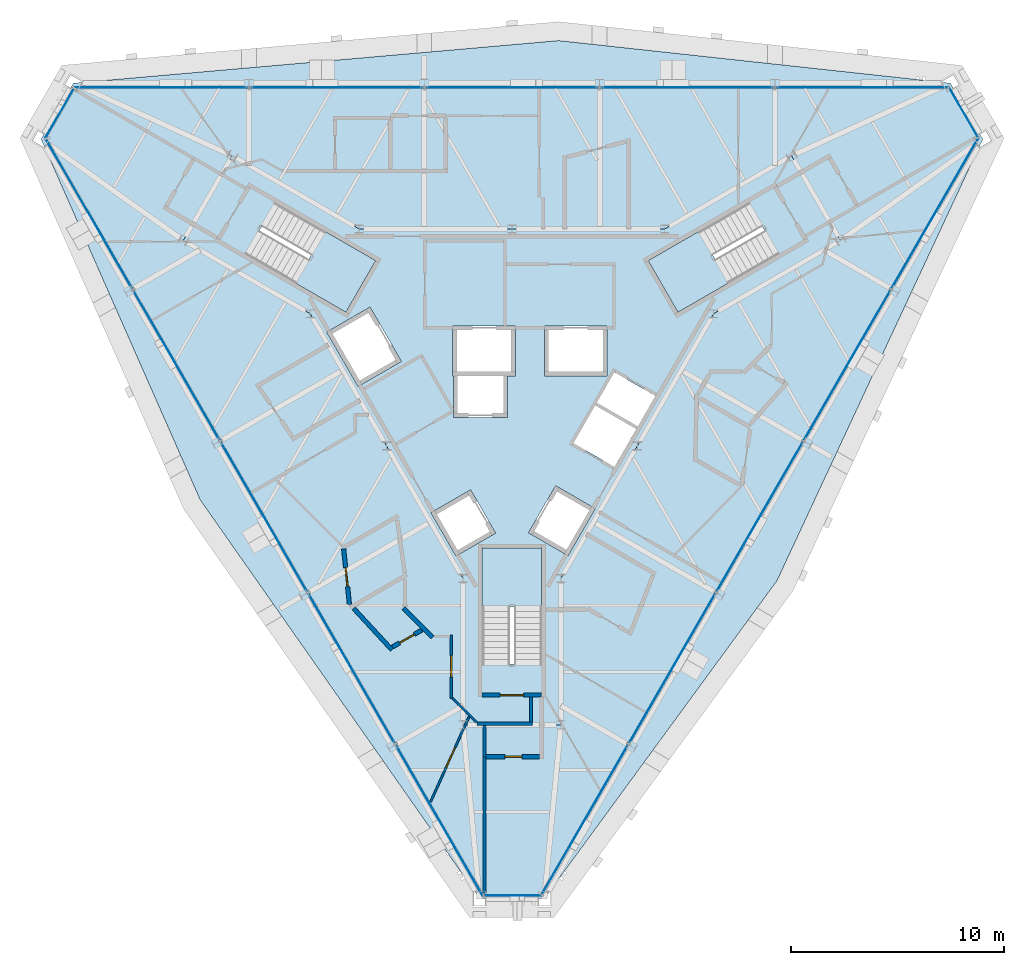
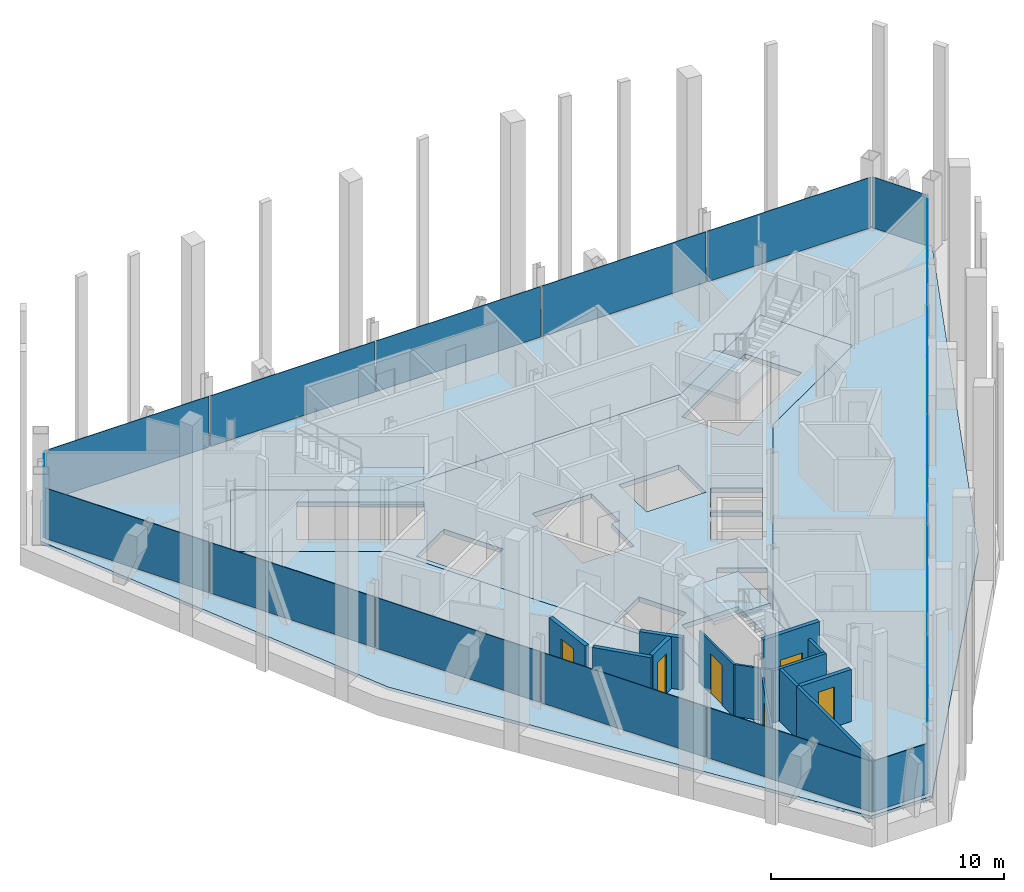
# One storey, part 7 of 13: 18 plates, 13 walls, 6 doors, 5 slabs, 6 openings, 9 elements without a shape of their own.
"""IFC4 building model written with IfcOpenShell, lengths in metres."""

from ifc_helpers import new_model, si_unit, direction, frame, frame_2d, origin, origin_2d, place, context, subcontext, project, spatial, polyline, rectangle, outline, extrude, material, layer, layer_set, type_object, element, fill, aggregate, save


model = new_model("IFC4")

# Units and contexts
model_context = context("Model", 3, precision=1e-05, world=origin(), true_north=direction((0.0, 1.0)))
body_context = subcontext(model_context, "Body", "Model", "MODEL_VIEW")
ifc_project = project(units=[si_unit("LENGTHUNIT", "METRE"), si_unit("AREAUNIT", "SQUARE_METRE"), si_unit("VOLUMEUNIT", "CUBIC_METRE"), si_unit("PLANEANGLEUNIT", "RADIAN"), si_unit("MASSUNIT", "GRAM", prefix="KILO")], contexts=[model_context])

# Site, building, storey
site_placement = place(None, origin())
site = spatial("IfcSite", under=ifc_project, at=site_placement, CompositionType="ELEMENT")
building_placement = place(site_placement, origin())
building = spatial("IfcBuilding", under=site, at=building_placement, Name="Verrane Prism Tower", CompositionType="ELEMENT")
storey_placement = place(building_placement, frame((0.0, 0.0, 275.10009765625)))
storey = spatial("IfcBuildingStorey", under=building, at=storey_placement, Name="L69", CompositionType="ELEMENT", Elevation=275.10009765625)

# Slabs
ifc_material_1 = material(Name="Concrete C35/45", Category="concrete")
ifc_layer_1 = layer(ifc_material_1, 0.159912109375)
ifc_layer_set_1 = layer_set([ifc_layer_1], Name="Composite floor slab")
slab_type_1 = type_object("IfcSlabType", Name="Composite floor slab", PredefinedType="FLOOR", material=ifc_layer_set_1)
slab_1_placement = place(storey_placement, frame((0.0, 0.0, -0.16015625)))
element("IfcSlab", 1, at=slab_1_placement, inside=storey, type_object=slab_type_1, Name="Floor slab L69", PredefinedType="FLOOR", context=body_context, shape_type="SweptSolid", body=[
    extrude(outline(polyline([(12.454345703125, -9.728515625), (1.51904296875, -24.6689453125), (-1.51904296875, -24.6689453125), (-14.652099609375, -5.921630859375), (-22.12353515625, 11.01904296875), (-20.6044921875, 13.64990234375), (2.19775390625, 15.64990234375), (20.6044921875, 13.64990234375), (22.12353515625, 11.01904296875), (12.454345703125, -9.728515625)]), holes=[polyline([(15.43994140625, 6.260009765625), (13.139892578125, 10.239990234375), (7.179931640625, 6.800048828125), (0.0, 6.800048828125), (-7.179931640625, 6.800048828125), (-13.139892578125, 10.239990234375), (-15.43994140625, 6.260009765625), (-9.47998046875, 2.820068359375), (-5.889892578125, -3.39990234375), (-2.300048828125, -9.6201171875), (-2.300048828125, -16.5), (2.300048828125, -16.5), (2.300048828125, -9.6201171875), (5.889892578125, -3.39990234375), (9.47998046875, 2.820068359375), (15.43994140625, 6.260009765625)])]), origin(), (0.0, 0.0, 1.0), 0.16015625),
])
ifc_material_2 = material(Name="Concrete C40/50", Category="concrete")
ifc_layer_2 = layer(ifc_material_2, 0.25)
ifc_layer_set_2 = layer_set([ifc_layer_2], Name="Core floor slab 250 concrete C40/50")
slab_type_2 = type_object("IfcSlabType", Name="Core floor slab 250 concrete C40/50", PredefinedType="FLOOR", material=ifc_layer_set_2)
slab_2_placement = place(storey_placement, frame((0.0, 0.0, -0.25)))
element("IfcSlab", 2, at=slab_2_placement, inside=storey, type_object=slab_type_2, Name="Core floor L69", PredefinedType="FLOOR", context=body_context, shape_type="SweptSolid", body=[
    extrude(outline(polyline([(9.47998046875, 2.820068359375), (15.43994140625, 6.260009765625), (13.139892578125, 10.239990234375), (7.179931640625, 6.800048828125), (0.0, 6.800048828125), (-7.179931640625, 6.800048828125), (-13.139892578125, 10.239990234375), (-15.43994140625, 6.260009765625), (-9.47998046875, 2.820068359375), (-5.889892578125, -3.39990234375), (-2.300048828125, -9.6201171875), (-2.300048828125, -16.5), (2.300048828125, -16.5), (2.300048828125, -9.6201171875), (5.889892578125, -3.39990234375), (9.47998046875, 2.820068359375)]), holes=[polyline([(-1.39990234375, -8.199951171875), (1.39990234375, -8.199951171875), (1.39990234375, -13.639892578125), (-1.39990234375, -13.639892578125), (-1.39990234375, -8.199951171875)]), polyline([(-0.76708984375, -7.491943359375), (-2.62890625, -8.56689453125), (-3.803955078125, -6.531982421875), (-1.94189453125, -5.45703125), (-0.76708984375, -7.491943359375)]), polyline([(3.9140625, -6.341064453125), (2.638916015625, -8.550048828125), (0.777099609375, -7.47509765625), (2.052001953125, -5.26611328125), (3.9140625, -6.341064453125)]), polyline([(4.81494140625, -4.37890625), (2.888916015625, -3.26708984375), (3.9130859375, -1.490966796875), (5.841064453125, -2.60302734375), (4.81494140625, -4.37890625)]), polyline([(6.739990234375, -1.044921875), (5.916015625, -2.47412109375), (3.988037109375, -1.361083984375), (4.81396484375, 0.06689453125), (6.739990234375, -1.044921875)]), polyline([(-2.784912109375, -0.10009765625), (-2.784912109375, 2.25), (0.1650390625, 2.25), (0.1650390625, -0.10009765625), (-0.205078125, -0.10009765625), (-0.205078125, -2.050048828125), (-2.7548828125, -2.050048828125), (-2.7548828125, -0.10009765625), (-2.784912109375, -0.10009765625)]), polyline([(4.47509765625, 2.25), (4.47509765625, -0.10009765625), (1.52490234375, -0.10009765625), (1.52490234375, 2.25), (4.47509765625, 2.25)]), polyline([(-8.7041015625, 1.955078125), (-6.66796875, 3.1298828125), (-5.193115234375, 0.574951171875), (-7.22900390625, -0.60009765625), (-8.7041015625, 1.955078125)]), polyline([(-7.801025390625, 2.887939453125), (-12.512939453125, 5.60791015625), (-11.113037109375, 8.031982421875), (-6.40087890625, 5.31201171875), (-7.801025390625, 2.887939453125)]), polyline([(6.40087890625, 5.31201171875), (11.113037109375, 8.031982421875), (12.512939453125, 5.60791015625), (7.801025390625, 2.887939453125), (6.40087890625, 5.31201171875)])]), origin(), (0.0, 0.0, 1.0), 0.25),
])

# Curtain wall, plate
ifc_material_3 = material(Name="Aluminium framed insulated glazing", Category="aluminium")
curtain_wall_type_1 = type_object("IfcCurtainWallType", Name="Curtain wall CW-C 4200 module", PredefinedType="NOTDEFINED", material=ifc_material_3)
curtain_wall_1_placement = place(storey_placement, origin())
curtain_wall_1 = element("IfcCurtainWall", 3, at=curtain_wall_1_placement, inside=storey, type_object=curtain_wall_type_1, Name="Glazed curtain wall north-east corner L69", PredefinedType="NOTDEFINED")
ifc_material_4 = material(Name="Low-iron insulating glass unit", Category="glass")
ifc_layer_3 = layer(ifc_material_4, 0.02392578125)
ifc_layer_set_3 = layer_set([ifc_layer_3], Name="Glazing panel IGU 24")
plate_type_1 = type_object("IfcPlateType", Name="Glazing panel IGU 24", PredefinedType="CURTAIN_PANEL", material=ifc_layer_set_3)
plate_1_placement = place(storey_placement, frame((21.219970703125, 12.280029296875, 0.0498046875), z_axis=(0.0, 0.0, 1.0), x_axis=(-0.500002040855, 0.866024225493, 0.0)))
plate_1 = element("IfcPlate", 4, at=plate_1_placement, type_object=plate_type_1, Name="CW69.1 panel 1", PredefinedType="CURTAIN_PANEL", context=body_context, shape_type="SweptSolid", body=[
    extrude(rectangle(XDim=2.695068359375, YDim=0.02392578125, at=origin_2d()), origin(), (0.0, 0.0, 1.0), 2.673095703125),
])
aggregate(curtain_wall_1, [plate_1])

# Curtain wall, plates
ifc_material_5 = material(Name="Aluminium framed insulated glazing", Category="aluminium")
curtain_wall_type_2 = type_object("IfcCurtainWallType", Name="Curtain wall CW-A 8400 module", PredefinedType="NOTDEFINED", material=ifc_material_5)
curtain_wall_2_placement = place(storey_placement, origin())
curtain_wall_2 = element("IfcCurtainWall", 5, at=curtain_wall_2_placement, inside=storey, type_object=curtain_wall_type_2, Name="Glazed curtain wall north face L69", PredefinedType="NOTDEFINED")
ifc_material_6 = material(Name="Low-iron insulating glass unit", Category="glass")
ifc_layer_4 = layer(ifc_material_6, 0.031982421875)
ifc_layer_set_4 = layer_set([ifc_layer_4], Name="Glazing panel IGU 32")
plate_type_2 = type_object("IfcPlateType", Name="Glazing panel IGU 32", PredefinedType="CURTAIN_PANEL", material=ifc_layer_set_4)
plate_2_placement = place(storey_placement, frame((16.41943359375, 13.447265625, 0.06982421875), z_axis=(0.0, 0.0, 1.0), x_axis=(-1.0, 0.0, 0.0)))
plate_2 = element("IfcPlate", 6, at=plate_2_placement, type_object=plate_type_2, Name="CW69.2 panel 1", PredefinedType="CURTAIN_PANEL", context=body_context, shape_type="SweptSolid", body=[
    extrude(rectangle(XDim=8.113525390625, YDim=0.031982421875, at=origin_2d()), origin(), (0.0, 0.0, 1.0), 2.653076171875),
])
plate_3_placement = place(storey_placement, frame((8.218505859375, 13.447265625, 0.06982421875), z_axis=(0.0, 0.0, 1.0), x_axis=(-1.0, 0.0, 0.0)))
plate_3 = element("IfcPlate", 7, at=plate_3_placement, type_object=plate_type_2, Name="CW69.2 panel 2", PredefinedType="CURTAIN_PANEL", context=body_context, shape_type="SweptSolid", body=[
    extrude(rectangle(XDim=8.1484375, YDim=0.031982421875, at=origin_2d()), origin(), (0.0, 0.0, 1.0), 2.653076171875),
])
plate_4_placement = place(storey_placement, frame((0.0, 13.447265625, 0.06982421875), z_axis=(0.0, 0.0, 1.0), x_axis=(-1.0, 0.0, 0.0)))
plate_4 = element("IfcPlate", 8, at=plate_4_placement, type_object=plate_type_2, Name="CW69.2 panel 3", PredefinedType="CURTAIN_PANEL", context=body_context, shape_type="SweptSolid", body=[
    extrude(rectangle(XDim=8.1484375, YDim=0.031982421875, at=origin_2d()), origin(), (0.0, 0.0, 1.0), 2.653076171875),
])
plate_5_placement = place(storey_placement, frame((-8.218505859375, 13.447265625, 0.06982421875), z_axis=(0.0, 0.0, 1.0), x_axis=(-1.0, 0.0, 0.0)))
plate_5 = element("IfcPlate", 9, at=plate_5_placement, type_object=plate_type_2, Name="CW69.2 panel 4", PredefinedType="CURTAIN_PANEL", context=body_context, shape_type="SweptSolid", body=[
    extrude(rectangle(XDim=8.1484375, YDim=0.031982421875, at=origin_2d()), origin(), (0.0, 0.0, 1.0), 2.653076171875),
])
plate_6_placement = place(storey_placement, frame((-16.454345703125, 13.447265625, 0.06982421875), z_axis=(0.0, 0.0, 1.0), x_axis=(-1.0, 0.0, 0.0)))
plate_6 = element("IfcPlate", 10, at=plate_6_placement, type_object=plate_type_2, Name="CW69.2 panel 5", PredefinedType="CURTAIN_PANEL", context=body_context, shape_type="SweptSolid", body=[
    extrude(rectangle(XDim=8.183349609375, YDim=0.031982421875, at=origin_2d()), origin(), (0.0, 0.0, 1.0), 2.653076171875),
])
aggregate(curtain_wall_2, [plate_2, plate_3, plate_4, plate_5, plate_6])

# Curtain wall, plate
curtain_wall_3_placement = place(storey_placement, origin())
curtain_wall_3 = element("IfcCurtainWall", 11, at=curtain_wall_3_placement, inside=storey, type_object=curtain_wall_type_2, Name="Glazed curtain wall north-west corner L69", PredefinedType="NOTDEFINED")
plate_7_placement = place(storey_placement, frame((-21.25, 12.228271484375, 0.06982421875), z_axis=(0.0, 0.0, 1.0), x_axis=(-0.500002040855, -0.866024225493, 0.0)))
plate_7 = element("IfcPlate", 12, at=plate_7_placement, type_object=plate_type_2, Name="CW69.3 panel 1", PredefinedType="CURTAIN_PANEL", context=body_context, shape_type="SweptSolid", body=[
    extrude(rectangle(XDim=2.67529296875, YDim=0.031982421875, at=origin_2d()), origin(), (0.0, 0.0, 1.0), 2.653076171875),
])
aggregate(curtain_wall_3, [plate_7])

# Curtain wall, plates
curtain_wall_4_placement = place(storey_placement, origin())
curtain_wall_4 = element("IfcCurtainWall", 13, at=curtain_wall_4_placement, inside=storey, type_object=curtain_wall_type_2, Name="Glazed curtain wall south-west face L69", PredefinedType="NOTDEFINED")
plate_8_placement = place(storey_placement, frame((-19.855224609375, 7.495849609375, 0.06982421875), z_axis=(0.0, 0.0, 1.0), x_axis=(0.500000938868, -0.866024861728, 0.0)))
plate_8 = element("IfcPlate", 14, at=plate_8_placement, type_object=plate_type_2, Name="CW69.4 panel 1", PredefinedType="CURTAIN_PANEL", context=body_context, shape_type="SweptSolid", body=[
    extrude(rectangle(XDim=8.113525390625, YDim=0.031982421875, at=origin_2d()), origin(), (0.0, 0.0, 1.0), 2.653076171875),
])
plate_9_placement = place(storey_placement, frame((-15.7548828125, 0.393798828125, 0.06982421875), z_axis=(0.0, 0.0, 1.0), x_axis=(0.500000938868, -0.866024861728, 0.0)))
plate_9 = element("IfcPlate", 15, at=plate_9_placement, type_object=plate_type_2, Name="CW69.4 panel 2", PredefinedType="CURTAIN_PANEL", context=body_context, shape_type="SweptSolid", body=[
    extrude(rectangle(XDim=8.1484375, YDim=0.031982421875, at=origin_2d()), origin(), (0.0, 0.0, 1.0), 2.653076171875),
])
plate_10_placement = place(storey_placement, frame((-11.645751953125, -6.7236328125, 0.06982421875), z_axis=(0.0, 0.0, 1.0), x_axis=(0.500000938868, -0.866024861728, 0.0)))
plate_10 = element("IfcPlate", 16, at=plate_10_placement, type_object=plate_type_2, Name="CW69.4 panel 3", PredefinedType="CURTAIN_PANEL", context=body_context, shape_type="SweptSolid", body=[
    extrude(rectangle(XDim=8.1484375, YDim=0.031982421875, at=origin_2d()), origin(), (0.0, 0.0, 1.0), 2.653076171875),
])
plate_11_placement = place(storey_placement, frame((-7.536376953125, -13.841064453125, 0.06982421875), z_axis=(0.0, 0.0, 1.0), x_axis=(0.500000938868, -0.866024861728, 0.0)))
plate_11 = element("IfcPlate", 17, at=plate_11_placement, type_object=plate_type_2, Name="CW69.4 panel 4", PredefinedType="CURTAIN_PANEL", context=body_context, shape_type="SweptSolid", body=[
    extrude(rectangle(XDim=8.1484375, YDim=0.031982421875, at=origin_2d()), origin(), (0.0, 0.0, 1.0), 2.653076171875),
])
plate_12_placement = place(storey_placement, frame((-3.41845703125, -20.973388671875, 0.06982421875), z_axis=(0.0, 0.0, 1.0), x_axis=(0.500000938868, -0.866024861728, 0.0)))
plate_12 = element("IfcPlate", 18, at=plate_12_placement, type_object=plate_type_2, Name="CW69.4 panel 5", PredefinedType="CURTAIN_PANEL", context=body_context, shape_type="SweptSolid", body=[
    extrude(rectangle(XDim=8.183349609375, YDim=0.031982421875, at=origin_2d()), origin(), (0.0, 0.0, 1.0), 2.653076171875),
])
aggregate(curtain_wall_4, [plate_8, plate_9, plate_10, plate_11, plate_12])

# Curtain wall, plate
curtain_wall_5_placement = place(storey_placement, origin())
curtain_wall_5 = element("IfcCurtainWall", 19, at=curtain_wall_5_placement, inside=storey, type_object=curtain_wall_type_2, Name="Glazed curtain wall south corner L69", PredefinedType="NOTDEFINED")
plate_13_placement = place(storey_placement, frame((0.034912109375, -24.51708984375, 0.06982421875), z_axis=(0.0, 0.0, 1.0), x_axis=(1.0, 0.0, 0.0)))
plate_13 = element("IfcPlate", 20, at=plate_13_placement, type_object=plate_type_2, Name="CW69.5 panel 1", PredefinedType="CURTAIN_PANEL", context=body_context, shape_type="SweptSolid", body=[
    extrude(rectangle(XDim=2.67529296875, YDim=0.031982421875, at=origin_2d()), origin(), (0.0, 0.0, 1.0), 2.653076171875),
])
aggregate(curtain_wall_5, [plate_13])

# Curtain wall, plates
curtain_wall_6_placement = place(storey_placement, origin())
curtain_wall_6 = element("IfcCurtainWall", 21, at=curtain_wall_6_placement, inside=storey, type_object=curtain_wall_type_2, Name="Glazed curtain wall south-east face L69", PredefinedType="NOTDEFINED")
plate_14_placement = place(storey_placement, frame((3.43603515625, -20.943115234375, 0.06982421875), z_axis=(0.0, 0.0, 1.0), x_axis=(0.500000938868, 0.866024861728, 0.0)))
plate_14 = element("IfcPlate", 22, at=plate_14_placement, type_object=plate_type_2, Name="CW69.6 panel 1", PredefinedType="CURTAIN_PANEL", context=body_context, shape_type="SweptSolid", body=[
    extrude(rectangle(XDim=8.113525390625, YDim=0.031982421875, at=origin_2d()), origin(), (0.0, 0.0, 1.0), 2.653076171875),
])
plate_15_placement = place(storey_placement, frame((7.536376953125, -13.841064453125, 0.06982421875), z_axis=(0.0, 0.0, 1.0), x_axis=(0.500000938868, 0.866024861728, 0.0)))
plate_15 = element("IfcPlate", 23, at=plate_15_placement, type_object=plate_type_2, Name="CW69.6 panel 2", PredefinedType="CURTAIN_PANEL", context=body_context, shape_type="SweptSolid", body=[
    extrude(rectangle(XDim=8.1484375, YDim=0.031982421875, at=origin_2d()), origin(), (0.0, 0.0, 1.0), 2.653076171875),
])
plate_16_placement = place(storey_placement, frame((11.645751953125, -6.7236328125, 0.06982421875), z_axis=(0.0, 0.0, 1.0), x_axis=(0.500000938868, 0.866024861728, 0.0)))
plate_16 = element("IfcPlate", 24, at=plate_16_placement, type_object=plate_type_2, Name="CW69.6 panel 3", PredefinedType="CURTAIN_PANEL", context=body_context, shape_type="SweptSolid", body=[
    extrude(rectangle(XDim=8.1484375, YDim=0.031982421875, at=origin_2d()), origin(), (0.0, 0.0, 1.0), 2.653076171875),
])
plate_17_placement = place(storey_placement, frame((15.7548828125, 0.393798828125, 0.06982421875), z_axis=(0.0, 0.0, 1.0), x_axis=(0.500000938868, 0.866024861728, 0.0)))
plate_17 = element("IfcPlate", 25, at=plate_17_placement, type_object=plate_type_2, Name="CW69.6 panel 4", PredefinedType="CURTAIN_PANEL", context=body_context, shape_type="SweptSolid", body=[
    extrude(rectangle(XDim=8.1484375, YDim=0.031982421875, at=origin_2d()), origin(), (0.0, 0.0, 1.0), 2.653076171875),
])
plate_18_placement = place(storey_placement, frame((19.872802734375, 7.5263671875, 0.06982421875), z_axis=(0.0, 0.0, 1.0), x_axis=(0.500000938868, 0.866024861728, 0.0)))
plate_18 = element("IfcPlate", 26, at=plate_18_placement, type_object=plate_type_2, Name="CW69.6 panel 5", PredefinedType="CURTAIN_PANEL", context=body_context, shape_type="SweptSolid", body=[
    extrude(rectangle(XDim=8.183349609375, YDim=0.031982421875, at=origin_2d()), origin(), (0.0, 0.0, 1.0), 2.653076171875),
])
aggregate(curtain_wall_6, [plate_14, plate_15, plate_16, plate_17, plate_18])

# Stair, slab
ifc_material_7 = material(Name="Concrete C40/50", Category="concrete")
stair_type = type_object("IfcStairType", Name="Exit stair 1300 dog-leg precast concrete C40/50", PredefinedType="HALF_TURN_STAIR", material=ifc_material_7)
stair_1_placement = place(storey_placement, origin())
stair_1 = element("IfcStair", 27, at=stair_1_placement, inside=storey, type_object=stair_type, Name="Stair 1 L69", PredefinedType="HALF_TURN_STAIR")
ifc_material_8 = material(Name="Concrete C40/50", Category="concrete")
ifc_layer_5 = layer(ifc_material_8, 0.199951171875)
ifc_layer_set_5 = layer_set([ifc_layer_5], Name="Stair landing 200 precast concrete C40/50")
slab_type_3 = type_object("IfcSlabType", Name="Stair landing 200 precast concrete C40/50", PredefinedType="LANDING", material=ifc_layer_set_5)
slab_3_placement = place(storey_placement, frame((0.0, 0.0, 1.64990234375)))
slab_3 = element("IfcSlab", 28, at=slab_3_placement, type_object=slab_type_3, Name="Stair 1 landing 1", PredefinedType="LANDING", context=body_context, shape_type="SweptSolid", body=[
    extrude(outline(polyline([(8.791748046875, 6.6923828125), (6.4013671875, 5.3125), (7.801513671875, 2.887451171875), (10.191650390625, 4.267578125), (8.791748046875, 6.6923828125)])), origin(), (0.0, 0.0, 1.0), 0.199951171875),
])
aggregate(stair_1, [slab_3])

stair_2_placement = place(storey_placement, origin())
stair_2 = element("IfcStair", 29, at=stair_2_placement, inside=storey, type_object=stair_type, Name="Stair 2 L69", PredefinedType="HALF_TURN_STAIR")
slab_4_placement = place(storey_placement, frame((0.0, 0.0, 1.64990234375)))
slab_4 = element("IfcSlab", 30, at=slab_4_placement, type_object=slab_type_3, Name="Stair 2 landing 1", PredefinedType="LANDING", context=body_context, shape_type="SweptSolid", body=[
    extrude(outline(polyline([(-10.191650390625, 4.267578125), (-7.801513671875, 2.887451171875), (-6.4013671875, 5.3125), (-8.791748046875, 6.6923828125), (-10.191650390625, 4.267578125)])), origin(), (0.0, 0.0, 1.0), 0.199951171875),
])
aggregate(stair_2, [slab_4])

stair_3_placement = place(storey_placement, origin())
stair_3 = element("IfcStair", 31, at=stair_3_placement, inside=storey, type_object=stair_type, Name="Stair 3 L69", PredefinedType="HALF_TURN_STAIR")
slab_5_placement = place(storey_placement, frame((0.0, 0.0, 1.64990234375)))
slab_5 = element("IfcSlab", 32, at=slab_5_placement, type_object=slab_type_3, Name="Stair 3 landing 1", PredefinedType="LANDING", context=body_context, shape_type="SweptSolid", body=[
    extrude(outline(polyline([(1.39990234375, -10.9599609375), (1.39990234375, -8.199951171875), (-1.39990234375, -8.199951171875), (-1.39990234375, -10.9599609375), (1.39990234375, -10.9599609375)])), origin(), (0.0, 0.0, 1.0), 0.199951171875),
])
aggregate(stair_3, [slab_5])

# Wall, opening, door
ifc_material_9 = material(Name="Concrete C40/50", Category="concrete")
ifc_layer_6 = layer(ifc_material_9, 0.199951171875)
ifc_layer_set_6 = layer_set([ifc_layer_6], Name="CW-200 stair core wall concrete C40/50 3 h")
wall_type_1 = type_object("IfcWallType", Name="CW-200 stair core wall concrete C40/50 3 h", PredefinedType="PARTITIONING", material=ifc_layer_set_6)
wall_1_placement = place(storey_placement, frame((-1.39990234375, -15.10009765625, 0.0), z_axis=(0.0, 0.0, 1.0), x_axis=(1.0, 0.0, 0.0)))
wall_1 = element("IfcWall", 33, at=wall_1_placement, inside=storey, type_object=wall_type_1, Name="Stair 3 enclosure wall", PredefinedType="PARTITIONING", context=body_context, shape_type="SweptSolid", body=[
    extrude(rectangle(XDim=2.7998046875, YDim=0.199951171875, at=frame_2d((1.39990234375, 0.0))), origin(), (0.0, 0.0, 1.0), 3.449951171875),
])
opening_1_placement = place(wall_1_placement, frame((0.85009765625, 0.0, 0.0)))
opening_1 = element("IfcOpeningElement", 34, at=opening_1_placement, cuts=wall_1, Name="Opening D69502", PredefinedType="OPENING", context=body_context, shape_type="SweptSolid", body=[
    extrude(rectangle(XDim=1.10009765625, YDim=2.10009765625, at=frame_2d((0.550048828125, 1.050048828125))), frame((0.0, 0.10986328125, 0.0), z_axis=(0.0, -1.0, 0.0), x_axis=(1.0, 0.0, 0.0)), (0.0, 0.0, 1.0), 0.219970703125),
])
ifc_material_10 = material(Name="Timber veneered door leaf", Category="wood")
door_type_1 = type_object("IfcDoorType", Name="DR-1100x2100 FD90 single leaf stair", OperationType="NOTDEFINED", PredefinedType="DOOR", material=ifc_material_10)
door_1_placement = place(opening_1_placement, origin())
door_1 = element("IfcDoor", 35, at=door_1_placement, inside=storey, type_object=door_type_1, Name="Stair 3 door", OperationType="SINGLE_SWING_LEFT", OverallHeight=2.10009765625, OverallWidth=1.10009765625, PredefinedType="DOOR", context=body_context, shape_type="SweptSolid", body=[
    extrude(rectangle(XDim=1.10009765625, YDim=2.10009765625, at=frame_2d((0.550048828125, 1.050048828125))), frame((0.0, 0.02490234375, 0.0), z_axis=(0.0, -1.0, 0.0), x_axis=(1.0, 0.0, 0.0)), (0.0, 0.0, 1.0), 0.050048828125),
])
fill(opening_1, door_1)

ifc_material_11 = material(Name="Gypsum board partition", Category="other")
ifc_layer_7 = layer(ifc_material_11, 0.10009765625)
ifc_layer_set_7 = layer_set([ifc_layer_7], Name="PW-100 room partition")
wall_type_2 = type_object("IfcWallType", Name="PW-100 room partition", PredefinedType="PARTITIONING", material=ifc_layer_set_7)
wall_2_placement = place(storey_placement, frame((-2.018798828125, -16.126953125, 0.0), z_axis=(0.0, 0.0, 1.0), x_axis=(-0.411876718461, -0.911239578151, 0.0)))
wall_2 = element("IfcWall", 36, at=wall_2_placement, inside=storey, type_object=wall_type_2, Name="Room partition 031", PredefinedType="PARTITIONING", context=body_context, shape_type="SweptSolid", body=[
    extrude(rectangle(XDim=4.375732421875, YDim=0.10009765625, at=frame_2d((2.18798828125, 0.0))), origin(), (0.0, 0.0, 1.0), 2.722900390625),
])
opening_2_placement = place(wall_2_placement, frame((1.5908203125, 0.0, 0.0)))
opening_2 = element("IfcOpeningElement", 37, at=opening_2_placement, cuts=wall_2, Name="Opening D69026", PredefinedType="OPENING", context=body_context, shape_type="SweptSolid", body=[
    extrude(rectangle(XDim=1.0, YDim=2.10009765625, at=frame_2d((0.5, 1.050048828125))), frame((0.0, 0.06005859375, 0.0), z_axis=(0.0, -1.0, 0.0), x_axis=(1.0, 0.0, 0.0)), (0.0, 0.0, 1.0), 0.1201171875),
])
ifc_material_12 = material(Name="Timber veneered door leaf", Category="wood")
door_type_2 = type_object("IfcDoorType", Name="DR-1000x2100 single leaf inner", OperationType="NOTDEFINED", PredefinedType="DOOR", material=ifc_material_12)
door_2_placement = place(opening_2_placement, origin())
door_2 = element("IfcDoor", 38, at=door_2_placement, inside=storey, type_object=door_type_2, Name="Living And Dining Room door", OperationType="SINGLE_SWING_LEFT", OverallHeight=2.10009765625, OverallWidth=1.0, PredefinedType="DOOR", context=body_context, shape_type="SweptSolid", body=[
    extrude(rectangle(XDim=1.0, YDim=2.10009765625, at=frame_2d((0.5, 1.050048828125))), frame((0.0, 0.02490234375, 0.0), z_axis=(0.0, -1.0, 0.0), x_axis=(1.0, 0.0, 0.0)), (0.0, 0.0, 1.0), 0.050048828125),
])
fill(opening_2, door_2)

wall_3_placement = place(storey_placement, frame((-2.85009765625, -15.25, 0.0), z_axis=(0.0, 0.0, 1.0), x_axis=(0.0, 1.0, 0.0)))
wall_3 = element("IfcWall", 39, at=wall_3_placement, inside=storey, type_object=wall_type_2, Name="Room partition 035", PredefinedType="PARTITIONING", context=body_context, shape_type="SweptSolid", body=[
    extrude(rectangle(XDim=2.9609375, YDim=0.10009765625, at=frame_2d((1.48046875, 0.0))), origin(), (0.0, 0.0, 1.0), 2.722900390625),
])
opening_3_placement = place(wall_3_placement, frame((1.0, 0.0, 0.0)))
opening_3 = element("IfcOpeningElement", 40, at=opening_3_placement, cuts=wall_3, Name="Opening D69024", PredefinedType="OPENING", context=body_context, shape_type="SweptSolid", body=[
    extrude(rectangle(XDim=1.0, YDim=2.10009765625, at=frame_2d((0.5, 1.050048828125))), frame((0.0, 0.06005859375, 0.0), z_axis=(0.0, -1.0, 0.0), x_axis=(1.0, 0.0, 0.0)), (0.0, 0.0, 1.0), 0.1201171875),
])
door_3_placement = place(opening_3_placement, origin())
door_3 = element("IfcDoor", 41, at=door_3_placement, inside=storey, type_object=door_type_2, Name="Entrance Foyer door", OperationType="SINGLE_SWING_RIGHT", OverallHeight=2.10009765625, OverallWidth=1.0, PredefinedType="DOOR", context=body_context, shape_type="SweptSolid", body=[
    extrude(rectangle(XDim=1.0, YDim=2.10009765625, at=frame_2d((0.5, 1.050048828125))), frame((0.0, 0.02490234375, 0.0), z_axis=(0.0, -1.0, 0.0), x_axis=(1.0, 0.0, 0.0)), (0.0, 0.0, 1.0), 0.050048828125),
])
fill(opening_3, door_3)

# Walls
wall_4_placement = place(storey_placement, frame((-2.800537109375, -15.24951171875, 0.0), z_axis=(0.0, 0.0, 1.0), x_axis=(0.707106781187, -0.707106781187, 0.0)))
element("IfcWall", 42, at=wall_4_placement, inside=storey, type_object=wall_type_2, Name="Room partition 036", PredefinedType="PARTITIONING", context=body_context, shape_type="SweptSolid", body=[
    extrude(rectangle(XDim=1.60791015625, YDim=0.10009765625, at=frame_2d((0.803955078125, 0.0))), origin(), (0.0, 0.0, 1.0), 2.722900390625),
])
ifc_material_13 = material(Name="Gypsum board partition", Category="other")
ifc_layer_8 = layer(ifc_material_13, 0.14990234375)
ifc_layer_set_8 = layer_set([ifc_layer_8], Name="PW-150 demising wall 1 h")
wall_type_3 = type_object("IfcWallType", Name="PW-150 demising wall 1 h", PredefinedType="PARTITIONING", material=ifc_layer_set_8)
wall_5_placement = place(storey_placement, frame((-1.64990234375, -16.449951171875, 0.0), z_axis=(0.0, 0.0, 1.0), x_axis=(1.0, 0.0, 0.0)))
element("IfcWall", 43, at=wall_5_placement, inside=storey, type_object=wall_type_3, Name="Demising wall 037", PredefinedType="PARTITIONING", context=body_context, shape_type="SweptSolid", body=[
    extrude(rectangle(XDim=2.625, YDim=0.14990234375, at=frame_2d((1.3125, 0.0))), origin(), (0.0, 0.0, 1.0), 2.722900390625),
])
wall_6_placement = place(storey_placement, frame((-1.285888671875, -24.4208984375, 0.0), z_axis=(0.0, 0.0, 1.0), x_axis=(0.0, 1.0, 0.0)))
element("IfcWall", 44, at=wall_6_placement, inside=storey, type_object=wall_type_3, Name="Demising wall 038", PredefinedType="PARTITIONING", context=body_context, shape_type="SweptSolid", body=[
    extrude(rectangle(XDim=6.416015625, YDim=0.14990234375, at=frame_2d((3.2080078125, 0.0))), origin(), (0.0, 0.0, 1.0), 2.722900390625),
])
wall_7_placement = place(storey_placement, frame((-1.285888671875, -18.0, 0.0), z_axis=(0.0, 0.0, 1.0), x_axis=(0.0, 1.0, 0.0)))
element("IfcWall", 45, at=wall_7_placement, inside=storey, type_object=wall_type_3, Name="Demising wall 039", PredefinedType="PARTITIONING", context=body_context, shape_type="SweptSolid", body=[
    extrude(rectangle(XDim=1.47509765625, YDim=0.14990234375, at=frame_2d((0.737548828125, 0.0))), origin(), (0.0, 0.0, 1.0), 2.722900390625),
])
wall_8_placement = place(storey_placement, frame((0.89990234375, -16.375, 0.0), z_axis=(0.0, 0.0, 1.0), x_axis=(0.0, 1.0, 0.0)))
element("IfcWall", 46, at=wall_8_placement, inside=storey, type_object=wall_type_3, Name="Demising wall 041", PredefinedType="PARTITIONING", context=body_context, shape_type="SweptSolid", body=[
    extrude(rectangle(XDim=1.175048828125, YDim=0.14990234375, at=frame_2d((0.58740234375, 0.0))), origin(), (0.0, 0.0, 1.0), 2.722900390625),
])

# Wall, opening, door
ifc_material_14 = material(Name="Gypsum board partition", Category="other")
ifc_layer_9 = layer(ifc_material_14, 0.199951171875)
ifc_layer_set_9 = layer_set([ifc_layer_9], Name="PW-200 plumbing wall")
wall_type_4 = type_object("IfcWallType", Name="PW-200 plumbing wall", PredefinedType="PARTITIONING", material=ifc_layer_set_9)
wall_9_placement = place(storey_placement, frame((-7.90673828125, -8.234619140625, 0.0), z_axis=(0.0, 0.0, 1.0), x_axis=(0.103623353624, -0.994616609847, 0.0)))
wall_9 = element("IfcWall", 47, at=wall_9_placement, inside=storey, type_object=wall_type_4, Name="Plumbing wall 019", PredefinedType="PARTITIONING", context=body_context, shape_type="SweptSolid", body=[
    extrude(rectangle(XDim=2.622314453125, YDim=0.199951171875, at=frame_2d((1.31103515625, 0.0))), origin(), (0.0, 0.0, 1.0), 2.722900390625),
])
opening_4_placement = place(wall_9_placement, frame((0.8798828125, 0.0, 0.0)))
opening_4 = element("IfcOpeningElement", 48, at=opening_4_placement, cuts=wall_9, Name="Opening D69025", PredefinedType="OPENING", context=body_context, shape_type="SweptSolid", body=[
    extrude(rectangle(XDim=0.89990234375, YDim=2.10009765625, at=frame_2d((0.449951171875, 1.050048828125))), frame((0.0, 0.10986328125, 0.0), z_axis=(0.0, -1.0, 0.0), x_axis=(1.0, 0.0, 0.0)), (0.0, 0.0, 1.0), 0.219970703125),
])
ifc_material_15 = material(Name="Timber veneered door leaf", Category="wood")
door_type_3 = type_object("IfcDoorType", Name="DR-900x2100 single leaf inner", OperationType="NOTDEFINED", PredefinedType="DOOR", material=ifc_material_15)
door_4_placement = place(opening_4_placement, origin())
door_4 = element("IfcDoor", 49, at=door_4_placement, inside=storey, type_object=door_type_3, Name="Kitchen door", OperationType="SINGLE_SWING_LEFT", OverallHeight=2.10009765625, OverallWidth=0.89990234375, PredefinedType="DOOR", context=body_context, shape_type="SweptSolid", body=[
    extrude(rectangle(XDim=0.89990234375, YDim=2.10009765625, at=frame_2d((0.449951171875, 1.050048828125))), frame((0.0, 0.02490234375, 0.0), z_axis=(0.0, -1.0, 0.0), x_axis=(1.0, 0.0, 0.0)), (0.0, 0.0, 1.0), 0.050048828125),
])
fill(opening_4, door_4)

# Wall
wall_10_placement = place(storey_placement, frame((-7.43408203125, -11.03173828125, 0.0), z_axis=(0.0, 0.0, 1.0), x_axis=(0.678387636859, -0.734704167782, 0.0)))
element("IfcWall", 50, at=wall_10_placement, inside=storey, type_object=wall_type_4, Name="Plumbing wall 021", PredefinedType="PARTITIONING", context=body_context, shape_type="SweptSolid", body=[
    extrude(rectangle(XDim=2.64013671875, YDim=0.199951171875, at=frame_2d((1.320068359375, 0.0))), origin(), (0.0, 0.0, 1.0), 2.722900390625),
])

# Wall, opening, door
wall_11_placement = place(storey_placement, frame((-5.607177734375, -12.837890625, 0.0), z_axis=(0.0, 0.0, 1.0), x_axis=(0.866095534226, 0.499878510834, 0.0)))
wall_11 = element("IfcWall", 51, at=wall_11_placement, inside=storey, type_object=wall_type_4, Name="Plumbing wall 027", PredefinedType="PARTITIONING", context=body_context, shape_type="SweptSolid", body=[
    extrude(rectangle(XDim=1.580078125, YDim=0.199951171875, at=frame_2d((0.7900390625, 0.0))), origin(), (0.0, 0.0, 1.0), 2.722900390625),
])
opening_5_placement = place(wall_11_placement, frame((0.3798828125, 0.0, 0.0)))
opening_5 = element("IfcOpeningElement", 52, at=opening_5_placement, cuts=wall_11, Name="Opening D69027", PredefinedType="OPENING", context=body_context, shape_type="SweptSolid", body=[
    extrude(rectangle(XDim=0.800048828125, YDim=2.10009765625, at=frame_2d((0.39990234375, 1.050048828125))), frame((0.0, 0.10986328125, 0.0), z_axis=(0.0, -1.0, 0.0), x_axis=(1.0, 0.0, 0.0)), (0.0, 0.0, 1.0), 0.219970703125),
])
ifc_material_16 = material(Name="Timber veneered door leaf", Category="wood")
door_type_4 = type_object("IfcDoorType", Name="DR-800x2100 single leaf inner", OperationType="NOTDEFINED", PredefinedType="DOOR", material=ifc_material_16)
door_5_placement = place(opening_5_placement, origin())
door_5 = element("IfcDoor", 53, at=door_5_placement, inside=storey, type_object=door_type_4, Name="Bathroom door", OperationType="SINGLE_SWING_LEFT", OverallHeight=2.10009765625, OverallWidth=0.800048828125, PredefinedType="DOOR", context=body_context, shape_type="SweptSolid", body=[
    extrude(rectangle(XDim=0.800048828125, YDim=2.10009765625, at=frame_2d((0.39990234375, 1.050048828125))), frame((0.0, 0.02490234375, 0.0), z_axis=(0.0, -1.0, 0.0), x_axis=(1.0, 0.0, 0.0)), (0.0, 0.0, 1.0), 0.050048828125),
])
fill(opening_5, door_5)

# Wall
wall_12_placement = place(storey_placement, frame((-5.089599609375, -11.018310546875, 0.0), z_axis=(0.0, 0.0, 1.0), x_axis=(0.707106781187, -0.707106781187, 0.0)))
element("IfcWall", 54, at=wall_12_placement, inside=storey, type_object=wall_type_4, Name="Plumbing wall 030", PredefinedType="PARTITIONING", context=body_context, shape_type="SweptSolid", body=[
    extrude(rectangle(XDim=1.917724609375, YDim=0.199951171875, at=frame_2d((0.958984375, 0.0))), origin(), (0.0, 0.0, 1.0), 2.722900390625),
])

# Wall, opening, door
wall_13_placement = place(storey_placement, frame((-1.2109375, -18.0, 0.0), z_axis=(0.0, 0.0, 1.0), x_axis=(1.0, 0.0, 0.0)))
wall_13 = element("IfcWall", 55, at=wall_13_placement, inside=storey, type_object=wall_type_4, Name="Plumbing wall 040", PredefinedType="PARTITIONING", context=body_context, shape_type="SweptSolid", body=[
    extrude(rectangle(XDim=2.510986328125, YDim=0.199951171875, at=frame_2d((1.25537109375, 0.0))), origin(), (0.0, 0.0, 1.0), 2.722900390625),
])
opening_6_placement = place(wall_13_placement, frame((0.875, 0.0, 0.0)))
opening_6 = element("IfcOpeningElement", 56, at=opening_6_placement, cuts=wall_13, Name="Opening D69005", PredefinedType="OPENING", context=body_context, shape_type="SweptSolid", body=[
    extrude(rectangle(XDim=0.800048828125, YDim=2.10009765625, at=frame_2d((0.39990234375, 1.050048828125))), frame((0.0, 0.10986328125, 0.0), z_axis=(0.0, -1.0, 0.0), x_axis=(1.0, 0.0, 0.0)), (0.0, 0.0, 1.0), 0.219970703125),
])
ifc_material_17 = material(Name="Timber veneered door leaf", Category="wood")
door_type_5 = type_object("IfcDoorType", Name="DR-800x2100 single leaf bath", OperationType="NOTDEFINED", PredefinedType="DOOR", material=ifc_material_17)
door_6_placement = place(opening_6_placement, origin())
door_6 = element("IfcDoor", 57, at=door_6_placement, inside=storey, type_object=door_type_5, Name="Master Bathroom door", OperationType="SINGLE_SWING_LEFT", OverallHeight=2.10009765625, OverallWidth=0.800048828125, PredefinedType="DOOR", context=body_context, shape_type="SweptSolid", body=[
    extrude(rectangle(XDim=0.800048828125, YDim=2.10009765625, at=frame_2d((0.39990234375, 1.050048828125))), frame((0.0, 0.02490234375, 0.0), z_axis=(0.0, -1.0, 0.0), x_axis=(1.0, 0.0, 0.0)), (0.0, 0.0, 1.0), 0.050048828125),
])
fill(opening_6, door_6)

save(model, "model.ifc")
